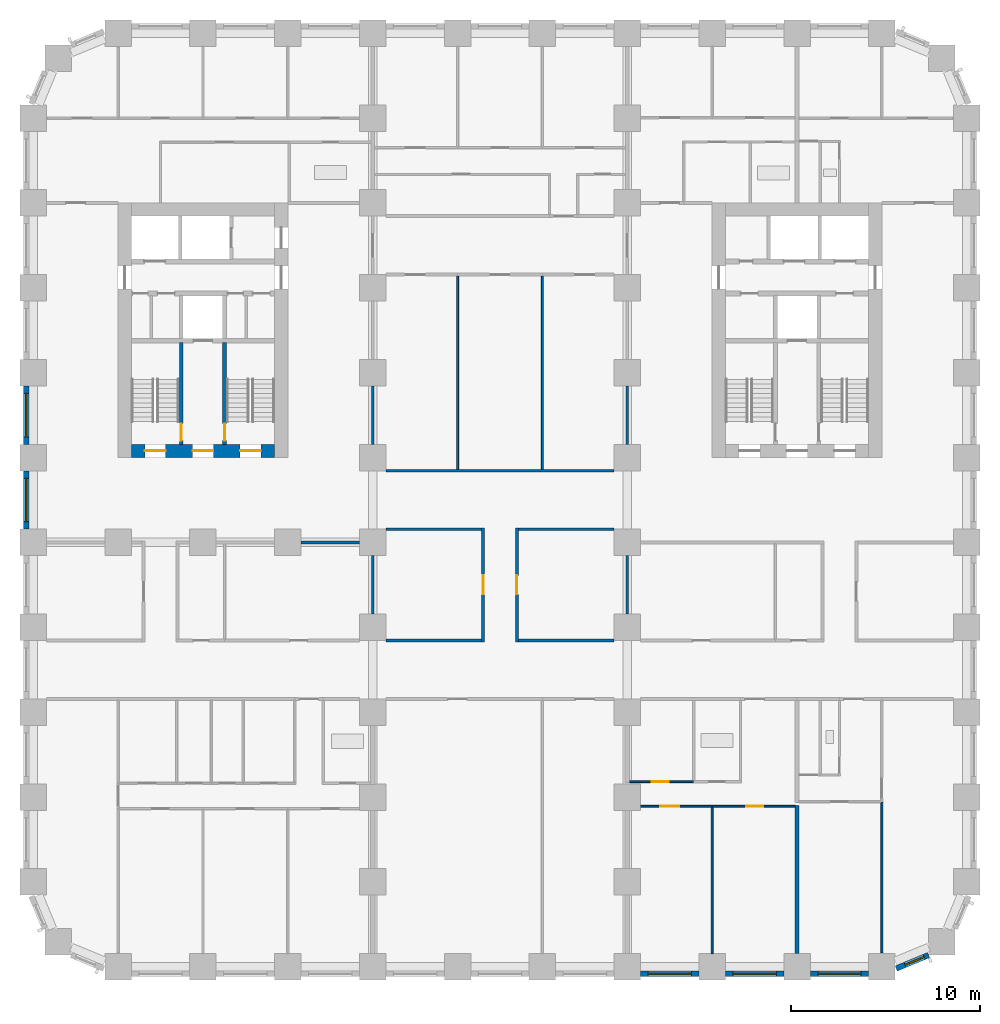
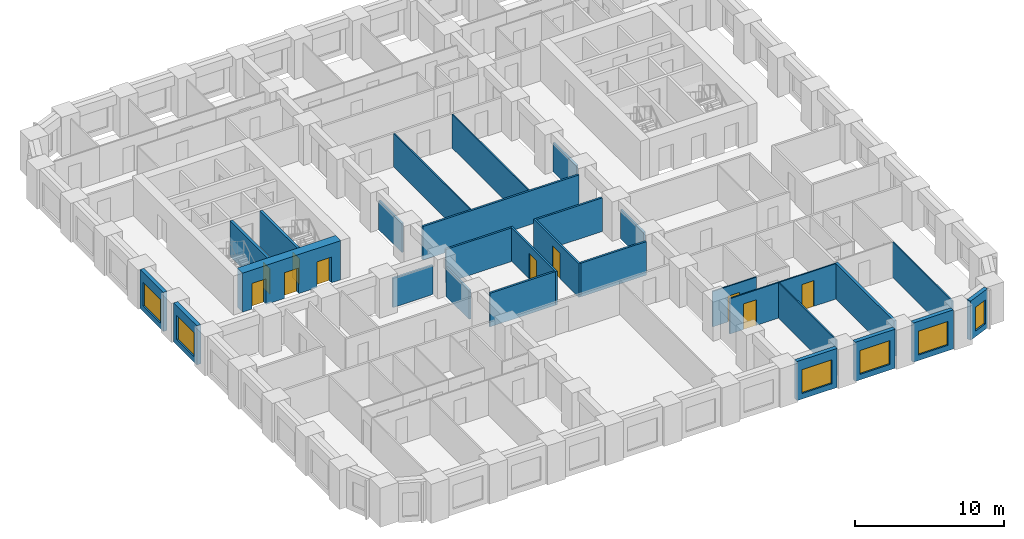
# One storey, part 4 of 13: 29 walls, 10 doors, 6 windows, 16 openings.
"""IFC4 building model written with IfcOpenShell, lengths in metres."""

from ifc_helpers import new_model, si_unit, direction, frame, frame_2d, origin, place, context, subcontext, project, spatial, rectangle, extrude, material, layer, layer_set, type_object, element, fill, save


model = new_model("IFC4")

# Units and contexts
model_context = context("Model", 3, precision=1e-05, world=origin(), true_north=direction((0.0, 1.0)))
body_context = subcontext(model_context, "Body", "Model", "MODEL_VIEW")
ifc_project = project(units=[si_unit("LENGTHUNIT", "METRE"), si_unit("AREAUNIT", "SQUARE_METRE"), si_unit("VOLUMEUNIT", "CUBIC_METRE"), si_unit("PLANEANGLEUNIT", "RADIAN"), si_unit("MASSUNIT", "GRAM", prefix="KILO")], contexts=[model_context])

# Site, building, storey
site_placement = place(None, origin())
site = spatial("IfcSite", under=ifc_project, at=site_placement, CompositionType="ELEMENT")
building_placement = place(site_placement, origin())
building = spatial("IfcBuilding", under=site, at=building_placement, Name="Girih Gate Residences", CompositionType="ELEMENT")
storey_placement = place(building_placement, frame((0.0, 0.0, 46.39990234375)))
storey = spatial("IfcBuildingStorey", under=building, at=storey_placement, Name="L11", CompositionType="ELEMENT", Elevation=46.39990234375)

# Wall, opening, door
ifc_material_1 = material(Name="Gypsum board on steel studs", Category="steel")
ifc_layer_1 = layer(ifc_material_1, 0.14990234375)
ifc_layer_set_1 = layer_set([ifc_layer_1], Name="Compartment wall 150 mm")
wall_type_1 = type_object("IfcWallType", Name="Compartment wall 150 mm", PredefinedType="PARTITIONING", material=ifc_layer_set_1)
wall_1_placement = place(storey_placement, frame((23.85009765625, 17.22509765625, 0.0), z_axis=(0.0, 0.0, 1.0), x_axis=(0.0, 1.0, 0.0)))
wall_1 = element("IfcWall", 1, at=wall_1_placement, inside=storey, type_object=wall_type_1, Name="L11 partition", PredefinedType="PARTITIONING", context=body_context, shape_type="SweptSolid", body=[
    extrude(rectangle(XDim=6.0498046875, YDim=0.14990234375, at=frame_2d((3.02490234375, 0.0))), origin(), (0.0, 0.0, 1.0), 2.75),
])
opening_1_placement = place(wall_1_placement, frame((2.52490234375, 0.0, 0.0)))
opening_1 = element("IfcOpeningElement", 2, at=opening_1_placement, cuts=wall_1, Name="Opening A11-051", PredefinedType="OPENING", context=body_context, shape_type="SweptSolid", body=[
    extrude(rectangle(XDim=1.0, YDim=2.10009765625, at=frame_2d((0.5, 1.050048828125))), frame((0.0, 0.0849609375, 0.0), z_axis=(0.0, -1.0, 0.0), x_axis=(1.0, 0.0, 0.0)), (0.0, 0.0, 1.0), 0.169921875),
])
ifc_material_2 = material(Name="Timber, fire-rated core", Category="wood")
door_type_1 = type_object("IfcDoorType", Name="Amenity room door 1000x2100 FD30S", OperationType="NOTDEFINED", PredefinedType="DOOR", material=ifc_material_2)
door_1_placement = place(opening_1_placement, origin())
door_1 = element("IfcDoor", 3, at=door_1_placement, inside=storey, type_object=door_type_1, Name="Door A11-051", OperationType="SINGLE_SWING_RIGHT", OverallHeight=2.10009765625, OverallWidth=1.0, PredefinedType="DOOR", context=body_context, shape_type="SweptSolid", body=[
    extrude(rectangle(XDim=1.0, YDim=2.10009765625, at=frame_2d((0.5, 1.050048828125))), frame((0.0, 0.02490234375, 0.0), z_axis=(0.0, -1.0, 0.0), x_axis=(1.0, 0.0, 0.0)), (0.0, 0.0, 1.0), 0.050048828125),
])
fill(opening_1, door_1)

wall_2_placement = place(storey_placement, frame((25.64990234375, 23.27490234375, 0.0), z_axis=(0.0, 0.0, 1.0), x_axis=(0.0, -1.0, 0.0)))
wall_2 = element("IfcWall", 4, at=wall_2_placement, inside=storey, type_object=wall_type_1, Name="L11 partition", PredefinedType="PARTITIONING", context=body_context, shape_type="SweptSolid", body=[
    extrude(rectangle(XDim=6.0498046875, YDim=0.14990234375, at=frame_2d((3.02490234375, 0.0))), origin(), (0.0, 0.0, 1.0), 2.75),
])
opening_2_placement = place(wall_2_placement, frame((2.52490234375, 0.0, 0.0)))
opening_2 = element("IfcOpeningElement", 5, at=opening_2_placement, cuts=wall_2, Name="Opening A11-052", PredefinedType="OPENING", context=body_context, shape_type="SweptSolid", body=[
    extrude(rectangle(XDim=1.0, YDim=2.10009765625, at=frame_2d((0.5, 1.050048828125))), frame((0.0, 0.0849609375, 0.0), z_axis=(0.0, -1.0, 0.0), x_axis=(1.0, 0.0, 0.0)), (0.0, 0.0, 1.0), 0.169921875),
])
door_2_placement = place(opening_2_placement, origin())
door_2 = element("IfcDoor", 6, at=door_2_placement, inside=storey, type_object=door_type_1, Name="Door A11-052", OperationType="SINGLE_SWING_RIGHT", OverallHeight=2.10009765625, OverallWidth=1.0, PredefinedType="DOOR", context=body_context, shape_type="SweptSolid", body=[
    extrude(rectangle(XDim=1.0, YDim=2.10009765625, at=frame_2d((0.5, 1.050048828125))), frame((0.0, 0.02490234375, 0.0), z_axis=(0.0, -1.0, 0.0), x_axis=(1.0, 0.0, 0.0)), (0.0, 0.0, 1.0), 0.050048828125),
])
fill(opening_2, door_2)

# Walls
for number, where, z_axis, x_axis, name in (
    (7, (18.699951171875, 17.300048828125, 0.0), (0.0, 0.0, 1.0), (1.0, 0.0, 0.0), "L11 partition"),
    (8, (25.72509765625, 17.300048828125, 0.0), (0.0, 0.0, 1.0), (1.0, 0.0, 0.0), "L11 partition"),
):
    element("IfcWall", number, at=place(storey_placement, frame(where, z_axis=z_axis, x_axis=x_axis)), inside=storey, type_object=wall_type_1, Name=name, PredefinedType="PARTITIONING", context=body_context, shape_type="SweptSolid", body=[
        extrude(rectangle(XDim=5.074951171875, YDim=0.14990234375, at=frame_2d((2.53759765625, 0.0))), origin(), (0.0, 0.0, 1.0), 2.75),
    ])
wall_3_placement = place(storey_placement, frame((18.0, 27.699951171875, 0.0), z_axis=(0.0, 0.0, 1.0), x_axis=(0.0, 1.0, 0.0)))
element("IfcWall", 9, at=wall_3_placement, inside=storey, type_object=wall_type_1, Name="L11 partition", PredefinedType="PARTITIONING", context=body_context, shape_type="SweptSolid", body=[
    extrude(rectangle(XDim=3.10009765625, YDim=0.14990234375, at=frame_2d((1.550048828125, 0.0))), origin(), (0.0, 0.0, 1.0), 2.380126953125),
])
wall_4_placement = place(storey_placement, frame((18.699951171875, 26.300048828125, 0.0), z_axis=(0.0, 0.0, 1.0), x_axis=(1.0, 0.0, 0.0)))
element("IfcWall", 10, at=wall_4_placement, inside=storey, type_object=wall_type_1, Name="L11 partition", PredefinedType="PARTITIONING", context=body_context, shape_type="SweptSolid", body=[
    extrude(rectangle(XDim=12.10009765625, YDim=0.14990234375, at=frame_2d((6.050048828125, 0.0))), origin(), (0.0, 0.0, 1.0), 2.75),
])
wall_5_placement = place(storey_placement, frame((31.5, 27.699951171875, 0.0), z_axis=(0.0, 0.0, 1.0), x_axis=(0.0, 1.0, 0.0)))
element("IfcWall", 11, at=wall_5_placement, inside=storey, type_object=wall_type_1, Name="L11 partition", PredefinedType="PARTITIONING", context=body_context, shape_type="SweptSolid", body=[
    extrude(rectangle(XDim=3.10009765625, YDim=0.14990234375, at=frame_2d((1.550048828125, 0.0))), origin(), (0.0, 0.0, 1.0), 2.380126953125),
])
wall_6_placement = place(storey_placement, frame((18.699951171875, 23.199951171875, 0.0), z_axis=(0.0, 0.0, 1.0), x_axis=(1.0, 0.0, 0.0)))
element("IfcWall", 12, at=wall_6_placement, inside=storey, type_object=wall_type_1, Name="L11 partition", PredefinedType="PARTITIONING", context=body_context, shape_type="SweptSolid", body=[
    extrude(rectangle(XDim=5.074951171875, YDim=0.14990234375, at=frame_2d((2.53759765625, 0.0))), origin(), (0.0, 0.0, 1.0), 2.75),
])
wall_7_placement = place(storey_placement, frame((18.0, 18.699951171875, 0.0), z_axis=(0.0, 0.0, 1.0), x_axis=(0.0, 1.0, 0.0)))
element("IfcWall", 13, at=wall_7_placement, inside=storey, type_object=wall_type_1, Name="L11 partition", PredefinedType="PARTITIONING", context=body_context, shape_type="SweptSolid", body=[
    extrude(rectangle(XDim=3.10009765625, YDim=0.14990234375, at=frame_2d((1.550048828125, 0.0))), origin(), (0.0, 0.0, 1.0), 2.380126953125),
])
wall_8_placement = place(storey_placement, frame((25.72509765625, 23.199951171875, 0.0), z_axis=(0.0, 0.0, 1.0), x_axis=(1.0, 0.0, 0.0)))
element("IfcWall", 14, at=wall_8_placement, inside=storey, type_object=wall_type_1, Name="L11 partition", PredefinedType="PARTITIONING", context=body_context, shape_type="SweptSolid", body=[
    extrude(rectangle(XDim=5.074951171875, YDim=0.14990234375, at=frame_2d((2.53759765625, 0.0))), origin(), (0.0, 0.0, 1.0), 2.75),
])
for number, where, z_axis, x_axis, name in (
    (15, (31.5, 18.699951171875, 0.0), (0.0, 0.0, 1.0), (0.0, 1.0, 0.0), "L11 partition"),
    (16, (14.199951171875, 22.5, 0.0), (0.0, 0.0, 1.0), (1.0, 0.0, 0.0), "L11 partition"),
):
    element("IfcWall", number, at=place(storey_placement, frame(where, z_axis=z_axis, x_axis=x_axis)), inside=storey, type_object=wall_type_1, Name=name, PredefinedType="PARTITIONING", context=body_context, shape_type="SweptSolid", body=[
        extrude(rectangle(XDim=3.10009765625, YDim=0.14990234375, at=frame_2d((1.550048828125, 0.0))), origin(), (0.0, 0.0, 1.0), 2.380126953125),
    ])

# Wall, openings, doors
ifc_material_3 = material(Name="Concrete C60/75", Category="concrete")
ifc_layer_2 = layer(ifc_material_3, 0.699951171875)
ifc_layer_set_2 = layer_set([ifc_layer_2], Name="Core wall RC 700 Concrete C60/75")
wall_type_2 = type_object("IfcWallType", Name="Core wall RC 700 Concrete C60/75", PredefinedType="SOLIDWALL", material=ifc_layer_set_2)
wall_9_placement = place(storey_placement, frame((5.199951171875, 27.35009765625, 0.0), z_axis=(0.0, 0.0, 1.0), x_axis=(1.0, 0.0, 0.0)))
wall_9 = element("IfcWall", 17, at=wall_9_placement, inside=storey, type_object=wall_type_2, Name="Core wall W-S L11", PredefinedType="SOLIDWALL", context=body_context, shape_type="SweptSolid", body=[
    extrude(rectangle(XDim=7.60009765625, YDim=0.699951171875, at=frame_2d((3.800048828125, 0.0))), origin(), (0.0, 0.0, 1.0), 3.2001953125),
])
opening_3_placement = place(wall_9_placement, frame((0.72509765625, 0.0, 0.0)))
opening_3 = element("IfcOpeningElement", 18, at=opening_3_placement, cuts=wall_9, Name="Opening D-L11-W-010", PredefinedType="OPENING", context=body_context, shape_type="SweptSolid", body=[
    extrude(rectangle(XDim=1.10009765625, YDim=2.10009765625, at=frame_2d((0.550048828125, 1.050048828125))), frame((0.0, 0.35986328125, 0.0), z_axis=(0.0, -1.0, 0.0), x_axis=(1.0, 0.0, 0.0)), (0.0, 0.0, 1.0), 0.719970703125),
])
opening_4_placement = place(wall_9_placement, frame((3.25, 0.0, 0.0)))
opening_4 = element("IfcOpeningElement", 19, at=opening_4_placement, cuts=wall_9, Name="Opening D-L11-W-011", PredefinedType="OPENING", context=body_context, shape_type="SweptSolid", body=[
    extrude(rectangle(XDim=1.10009765625, YDim=2.10009765625, at=frame_2d((0.550048828125, 1.050048828125))), frame((0.0, 0.35986328125, 0.0), z_axis=(0.0, -1.0, 0.0), x_axis=(1.0, 0.0, 0.0)), (0.0, 0.0, 1.0), 0.719970703125),
])
opening_5_placement = place(wall_9_placement, frame((5.77490234375, 0.0, 0.0)))
opening_5 = element("IfcOpeningElement", 20, at=opening_5_placement, cuts=wall_9, Name="Opening D-L11-W-012", PredefinedType="OPENING", context=body_context, shape_type="SweptSolid", body=[
    extrude(rectangle(XDim=1.10009765625, YDim=2.10009765625, at=frame_2d((0.550048828125, 1.050048828125))), frame((0.0, 0.35986328125, 0.0), z_axis=(0.0, -1.0, 0.0), x_axis=(1.0, 0.0, 0.0)), (0.0, 0.0, 1.0), 0.719970703125),
])
ifc_material_4 = material(Name="Painted steel, fire-resisting", Category="steel")
door_type_2 = type_object("IfcDoorType", Name="Fire door 1100x2100", OperationType="SINGLE_SWING_LEFT", PredefinedType="DOOR", material=ifc_material_4)
door_3_placement = place(opening_3_placement, origin())
door_3 = element("IfcDoor", 21, at=door_3_placement, inside=storey, type_object=door_type_2, Name="L11 W core door sta-out", OperationType="SINGLE_SWING_LEFT", OverallHeight=2.10009765625, OverallWidth=1.10009765625, PredefinedType="DOOR", context=body_context, shape_type="SweptSolid", body=[
    extrude(rectangle(XDim=1.10009765625, YDim=2.10009765625, at=frame_2d((0.550048828125, 1.050048828125))), frame((0.0, 0.02490234375, 0.0), z_axis=(0.0, -1.0, 0.0), x_axis=(1.0, 0.0, 0.0)), (0.0, 0.0, 1.0), 0.050048828125),
])
fill(opening_3, door_3)
door_4_placement = place(opening_4_placement, origin())
door_4 = element("IfcDoor", 22, at=door_4_placement, inside=storey, type_object=door_type_2, Name="L11 W core door ffl-out", OperationType="SINGLE_SWING_LEFT", OverallHeight=2.10009765625, OverallWidth=1.10009765625, PredefinedType="DOOR", context=body_context, shape_type="SweptSolid", body=[
    extrude(rectangle(XDim=1.10009765625, YDim=2.10009765625, at=frame_2d((0.550048828125, 1.050048828125))), frame((0.0, 0.02490234375, 0.0), z_axis=(0.0, -1.0, 0.0), x_axis=(1.0, 0.0, 0.0)), (0.0, 0.0, 1.0), 0.050048828125),
])
fill(opening_4, door_4)
door_5_placement = place(opening_5_placement, origin())
door_5 = element("IfcDoor", 23, at=door_5_placement, inside=storey, type_object=door_type_2, Name="L11 W core door stb-out", OperationType="SINGLE_SWING_LEFT", OverallHeight=2.10009765625, OverallWidth=1.10009765625, PredefinedType="DOOR", context=body_context, shape_type="SweptSolid", body=[
    extrude(rectangle(XDim=1.10009765625, YDim=2.10009765625, at=frame_2d((0.550048828125, 1.050048828125))), frame((0.0, 0.02490234375, 0.0), z_axis=(0.0, -1.0, 0.0), x_axis=(1.0, 0.0, 0.0)), (0.0, 0.0, 1.0), 0.050048828125),
])
fill(opening_5, door_5)

# Wall
ifc_layer_3 = layer(ifc_material_1, 0.10009765625)
ifc_layer_set_3 = layer_set([ifc_layer_3], Name="Partition 100 mm")
wall_type_3 = type_object("IfcWallType", Name="Partition 100 mm", PredefinedType="PARTITIONING", material=ifc_layer_set_3)
wall_10_placement = place(storey_placement, frame((45.0, 0.757568359375, 0.0), z_axis=(0.0, 0.0, 1.0), x_axis=(0.0, 1.0, 0.0)))
element("IfcWall", 24, at=wall_10_placement, inside=storey, type_object=wall_type_3, Name="L11 partition", PredefinedType="PARTITIONING", context=body_context, shape_type="SweptSolid", body=[
    extrude(rectangle(XDim=7.992431640625, YDim=0.10009765625, at=frame_2d((3.99609375, 0.0))), origin(), (0.0, 0.0, 1.0), 2.900146484375),
])

# Wall, opening, door
wall_11_placement = place(storey_placement, frame((40.39990234375, 8.510009765625, 0.0), z_axis=(0.0, 0.0, 1.0), x_axis=(-1.0, 0.0, 0.0)))
wall_11 = element("IfcWall", 25, at=wall_11_placement, inside=storey, type_object=wall_type_3, Name="L11 partition", PredefinedType="PARTITIONING", context=body_context, shape_type="SweptSolid", body=[
    extrude(rectangle(XDim=4.39990234375, YDim=0.10009765625, at=frame_2d((2.199951171875, 0.0))), origin(), (0.0, 0.0, 1.0), 2.900146484375),
])
opening_6_placement = place(wall_11_placement, frame((1.699951171875, 0.0, 0.0)))
opening_6 = element("IfcOpeningElement", 26, at=opening_6_placement, cuts=wall_11, Name="Opening A11-024", PredefinedType="OPENING", context=body_context, shape_type="SweptSolid", body=[
    extrude(rectangle(XDim=0.89990234375, YDim=2.10009765625, at=frame_2d((0.449951171875, 1.050048828125))), frame((0.0, 0.06005859375, 0.0), z_axis=(0.0, -1.0, 0.0), x_axis=(1.0, 0.0, 0.0)), (0.0, 0.0, 1.0), 0.1201171875),
])
ifc_material_5 = material(Name="Timber", Category="wood")
door_type_3 = type_object("IfcDoorType", Name="Bedroom door 900x2100", OperationType="NOTDEFINED", PredefinedType="DOOR", material=ifc_material_5)
door_6_placement = place(opening_6_placement, origin())
door_6 = element("IfcDoor", 27, at=door_6_placement, inside=storey, type_object=door_type_3, Name="Door A11-024", OperationType="SINGLE_SWING_LEFT", OverallHeight=2.10009765625, OverallWidth=0.89990234375, PredefinedType="DOOR", context=body_context, shape_type="SweptSolid", body=[
    extrude(rectangle(XDim=0.89990234375, YDim=2.10009765625, at=frame_2d((0.449951171875, 1.050048828125))), frame((0.0, 0.02490234375, 0.0), z_axis=(0.0, -1.0, 0.0), x_axis=(1.0, 0.0, 0.0)), (0.0, 0.0, 1.0), 0.050048828125),
])
fill(opening_6, door_6)

# Wall
wall_12_placement = place(storey_placement, frame((36.0, 0.699951171875, 0.0), z_axis=(0.0, 0.0, 1.0), x_axis=(0.0, 1.0, 0.0)))
element("IfcWall", 28, at=wall_12_placement, inside=storey, type_object=wall_type_3, Name="L11 partition", PredefinedType="PARTITIONING", context=body_context, shape_type="SweptSolid", body=[
    extrude(rectangle(XDim=7.760009765625, YDim=0.10009765625, at=frame_2d((3.8798828125, 0.0))), origin(), (0.0, 0.0, 1.0), 2.900146484375),
])

# Wall, opening, door
wall_13_placement = place(storey_placement, frame((31.625, 9.81005859375, 0.0), z_axis=(0.0, 0.0, 1.0), x_axis=(1.0, 0.0, 0.0)))
wall_13 = element("IfcWall", 29, at=wall_13_placement, inside=storey, type_object=wall_type_3, Name="L11 partition", PredefinedType="PARTITIONING", context=body_context, shape_type="SweptSolid", body=[
    extrude(rectangle(XDim=3.390380859375, YDim=0.10009765625, at=frame_2d((1.6953125, 0.0))), origin(), (0.0, 0.0, 1.0), 2.900146484375),
])
opening_7_placement = place(wall_13_placement, frame((1.1826171875, 0.0, 0.0)))
opening_7 = element("IfcOpeningElement", 30, at=opening_7_placement, cuts=wall_13, Name="Opening A11-025", PredefinedType="OPENING", context=body_context, shape_type="SweptSolid", body=[
    extrude(rectangle(XDim=0.89990234375, YDim=2.10009765625, at=frame_2d((0.449951171875, 1.050048828125))), frame((0.0, 0.06005859375, 0.0), z_axis=(0.0, -1.0, 0.0), x_axis=(1.0, 0.0, 0.0)), (0.0, 0.0, 1.0), 0.1201171875),
])
door_type_4 = type_object("IfcDoorType", Name="Kitchen door 900x2100", OperationType="NOTDEFINED", PredefinedType="DOOR", material=ifc_material_5)
door_7_placement = place(opening_7_placement, origin())
door_7 = element("IfcDoor", 31, at=door_7_placement, inside=storey, type_object=door_type_4, Name="Door A11-025", OperationType="SINGLE_SWING_LEFT", OverallHeight=2.10009765625, OverallWidth=0.89990234375, PredefinedType="DOOR", context=body_context, shape_type="SweptSolid", body=[
    extrude(rectangle(XDim=0.89990234375, YDim=2.10009765625, at=frame_2d((0.449951171875, 1.050048828125))), frame((0.0, 0.02490234375, 0.0), z_axis=(0.0, -1.0, 0.0), x_axis=(1.0, 0.0, 0.0)), (0.0, 0.0, 1.0), 0.050048828125),
])
fill(opening_7, door_7)

wall_14_placement = place(storey_placement, frame((36.0, 8.510009765625, 0.0), z_axis=(0.0, 0.0, 1.0), x_axis=(-1.0, 0.0, 0.0)))
wall_14 = element("IfcWall", 32, at=wall_14_placement, inside=storey, type_object=wall_type_3, Name="L11 partition", PredefinedType="PARTITIONING", context=body_context, shape_type="SweptSolid", body=[
    extrude(rectangle(XDim=3.800048828125, YDim=0.10009765625, at=frame_2d((1.89990234375, 0.0))), origin(), (0.0, 0.0, 1.0), 2.900146484375),
])
opening_8_placement = place(wall_14_placement, frame((1.75, 0.0, 0.0)))
opening_8 = element("IfcOpeningElement", 33, at=opening_8_placement, cuts=wall_14, Name="Opening A11-026", PredefinedType="OPENING", context=body_context, shape_type="SweptSolid", body=[
    extrude(rectangle(XDim=1.0, YDim=2.10009765625, at=frame_2d((0.5, 1.050048828125))), frame((0.0, 0.06005859375, 0.0), z_axis=(0.0, -1.0, 0.0), x_axis=(1.0, 0.0, 0.0)), (0.0, 0.0, 1.0), 0.1201171875),
])
door_type_5 = type_object("IfcDoorType", Name="Living room door 1000x2100", OperationType="NOTDEFINED", PredefinedType="DOOR", material=ifc_material_5)
door_8_placement = place(opening_8_placement, origin())
door_8 = element("IfcDoor", 34, at=door_8_placement, inside=storey, type_object=door_type_5, Name="Door A11-026", OperationType="SINGLE_SWING_RIGHT", OverallHeight=2.10009765625, OverallWidth=1.0, PredefinedType="DOOR", context=body_context, shape_type="SweptSolid", body=[
    extrude(rectangle(XDim=1.0, YDim=2.10009765625, at=frame_2d((0.5, 1.050048828125))), frame((0.0, 0.02490234375, 0.0), z_axis=(0.0, -1.0, 0.0), x_axis=(1.0, 0.0, 0.0)), (0.0, 0.0, 1.0), 0.050048828125),
])
fill(opening_8, door_8)

# Walls
for number, where, z_axis, x_axis, name in (
    (35, (22.5, 26.375, 0.0), (0.0, 0.0, 1.0), (0.0, 1.0, 0.0), "L11 partition"),
    (36, (27.0, 26.375, 0.0), (0.0, 0.0, 1.0), (0.0, 1.0, 0.0), "L11 partition"),
):
    element("IfcWall", number, at=place(storey_placement, frame(where, z_axis=z_axis, x_axis=x_axis)), inside=storey, type_object=wall_type_3, Name=name, PredefinedType="PARTITIONING", context=body_context, shape_type="SweptSolid", body=[
        extrude(rectangle(XDim=10.25, YDim=0.10009765625, at=frame_2d((5.125, 0.0))), origin(), (0.0, 0.0, 1.0), 2.75),
    ])
ifc_layer_4 = layer(ifc_material_1, 0.199951171875)
ifc_layer_set_4 = layer_set([ifc_layer_4], Name="Party wall 200 mm")
wall_type_4 = type_object("IfcWallType", Name="Party wall 200 mm", PredefinedType="PARTITIONING", material=ifc_layer_set_4)
wall_15_placement = place(storey_placement, frame((40.5, 0.699951171875, 0.0), z_axis=(0.0, 0.0, 1.0), x_axis=(0.0, 1.0, 0.0)))
element("IfcWall", 37, at=wall_15_placement, inside=storey, type_object=wall_type_4, Name="L11 partition", PredefinedType="PARTITIONING", context=body_context, shape_type="SweptSolid", body=[
    extrude(rectangle(XDim=7.860107421875, YDim=0.199951171875, at=frame_2d((3.93017578125, 0.0))), origin(), (0.0, 0.0, 1.0), 2.900146484375),
])

# Wall, opening, window
ifc_material_6 = material(Name="Precast concrete C50/60", Category="concrete")
ifc_layer_5 = layer(ifc_material_6, 0.080078125, Name="Outer leaf")
ifc_material_7 = material(Name="Rigid PIR insulation")
ifc_layer_6 = layer(ifc_material_7, 0.14990234375, Name="Insulation")
ifc_material_8 = material(Name="Precast concrete C40/50", Category="concrete")
ifc_layer_7 = layer(ifc_material_8, 0.070068359375, Name="Inner leaf")
ifc_layer_set_5 = layer_set([ifc_layer_5, ifc_layer_6, ifc_layer_7], Name="Precast concrete C50/60 external wall 300")
wall_type_5 = type_object("IfcWallType", Name="Precast concrete C50/60 external wall 300", PredefinedType="SOLIDWALL", material=ifc_layer_set_5)
wall_16_placement = place(storey_placement, frame((35.300048828125, -0.375, 0.0), z_axis=(0.0, 0.0, 1.0), x_axis=(-1.0, 0.0, 0.0)))
wall_16 = element("IfcWall", 38, at=wall_16_placement, inside=storey, type_object=wall_type_5, Name="External wall S0045_0000.6", PredefinedType="SOLIDWALL", context=body_context, shape_type="SweptSolid", body=[
    extrude(rectangle(XDim=3.10009765625, YDim=0.300048828125, at=frame_2d((1.550048828125, 0.0))), origin(), (0.0, 0.0, 1.0), 3.2001953125),
])
opening_9_placement = place(wall_16_placement, frame((0.39990234375, 0.0, 0.449951171875)))
opening_9 = element("IfcOpeningElement", 39, at=opening_9_placement, cuts=wall_16, Name="Opening W-1", PredefinedType="OPENING", context=body_context, shape_type="SweptSolid", body=[
    extrude(rectangle(XDim=2.300048828125, YDim=1.949951171875, at=frame_2d((1.14990234375, 0.97509765625))), frame((0.0, 0.159912109375, 0.0), z_axis=(0.0, -1.0, 0.0), x_axis=(1.0, 0.0, 0.0)), (0.0, 0.0, 1.0), 0.320068359375),
])
ifc_material_9 = material(Name="Double glazing in aluminium frame", Category="aluminium")
window_type_1 = type_object("IfcWindowType", Name="Window W-1 2300x1950", PartitioningType="SINGLE_PANEL", PredefinedType="WINDOW", material=ifc_material_9)
window_1_placement = place(opening_9_placement, origin())
window_1 = element("IfcWindow", 40, at=window_1_placement, inside=storey, type_object=window_type_1, Name="Window W-1 S0045_0000.6", OverallHeight=1.949951171875, OverallWidth=2.300048828125, PartitioningType="SINGLE_PANEL", PredefinedType="WINDOW", context=body_context, shape_type="SweptSolid", body=[
    extrude(rectangle(XDim=2.300048828125, YDim=1.949951171875, at=frame_2d((1.14990234375, 0.97509765625))), frame((0.0, 0.030029296875, 0.0), z_axis=(0.0, -1.0, 0.0), x_axis=(1.0, 0.0, 0.0)), (0.0, 0.0, 1.0), 0.06005859375),
])
fill(opening_9, window_1)

wall_17_placement = place(storey_placement, frame((39.800048828125, -0.375, 0.0), z_axis=(0.0, 0.0, 1.0), x_axis=(-1.0, 0.0, 0.0)))
wall_17 = element("IfcWall", 41, at=wall_17_placement, inside=storey, type_object=wall_type_5, Name="External wall S0045_0000.7", PredefinedType="SOLIDWALL", context=body_context, shape_type="SweptSolid", body=[
    extrude(rectangle(XDim=3.10009765625, YDim=0.300048828125, at=frame_2d((1.550048828125, 0.0))), origin(), (0.0, 0.0, 1.0), 3.2001953125),
])
opening_10_placement = place(wall_17_placement, frame((0.39990234375, 0.0, 0.449951171875)))
opening_10 = element("IfcOpeningElement", 42, at=opening_10_placement, cuts=wall_17, Name="Opening W-1", PredefinedType="OPENING", context=body_context, shape_type="SweptSolid", body=[
    extrude(rectangle(XDim=2.300048828125, YDim=1.949951171875, at=frame_2d((1.14990234375, 0.97509765625))), frame((0.0, 0.159912109375, 0.0), z_axis=(0.0, -1.0, 0.0), x_axis=(1.0, 0.0, 0.0)), (0.0, 0.0, 1.0), 0.320068359375),
])
window_2_placement = place(opening_10_placement, origin())
window_2 = element("IfcWindow", 43, at=window_2_placement, inside=storey, type_object=window_type_1, Name="Window W-1 S0045_0000.7", OverallHeight=1.949951171875, OverallWidth=2.300048828125, PartitioningType="SINGLE_PANEL", PredefinedType="WINDOW", context=body_context, shape_type="SweptSolid", body=[
    extrude(rectangle(XDim=2.300048828125, YDim=1.949951171875, at=frame_2d((1.14990234375, 0.97509765625))), frame((0.0, 0.030029296875, 0.0), z_axis=(0.0, -1.0, 0.0), x_axis=(1.0, 0.0, 0.0)), (0.0, 0.0, 1.0), 0.06005859375),
])
fill(opening_10, window_2)

wall_18_placement = place(storey_placement, frame((44.300048828125, -0.375, 0.0), z_axis=(0.0, 0.0, 1.0), x_axis=(-1.0, 0.0, 0.0)))
wall_18 = element("IfcWall", 44, at=wall_18_placement, inside=storey, type_object=wall_type_5, Name="External wall S0045_0000.8", PredefinedType="SOLIDWALL", context=body_context, shape_type="SweptSolid", body=[
    extrude(rectangle(XDim=3.10009765625, YDim=0.300048828125, at=frame_2d((1.550048828125, 0.0))), origin(), (0.0, 0.0, 1.0), 3.2001953125),
])
opening_11_placement = place(wall_18_placement, frame((0.39990234375, 0.0, 0.449951171875)))
opening_11 = element("IfcOpeningElement", 45, at=opening_11_placement, cuts=wall_18, Name="Opening W-1", PredefinedType="OPENING", context=body_context, shape_type="SweptSolid", body=[
    extrude(rectangle(XDim=2.300048828125, YDim=1.949951171875, at=frame_2d((1.14990234375, 0.97509765625))), frame((0.0, 0.159912109375, 0.0), z_axis=(0.0, -1.0, 0.0), x_axis=(1.0, 0.0, 0.0)), (0.0, 0.0, 1.0), 0.320068359375),
])
window_3_placement = place(opening_11_placement, origin())
window_3 = element("IfcWindow", 46, at=window_3_placement, inside=storey, type_object=window_type_1, Name="Window W-1 S0045_0000.8", OverallHeight=1.949951171875, OverallWidth=2.300048828125, PartitioningType="SINGLE_PANEL", PredefinedType="WINDOW", context=body_context, shape_type="SweptSolid", body=[
    extrude(rectangle(XDim=2.300048828125, YDim=1.949951171875, at=frame_2d((1.14990234375, 0.97509765625))), frame((0.0, 0.030029296875, 0.0), z_axis=(0.0, -1.0, 0.0), x_axis=(1.0, 0.0, 0.0)), (0.0, 0.0, 1.0), 0.06005859375),
])
fill(opening_11, window_3)

wall_19_placement = place(storey_placement, frame((47.48046875, 0.62158203125, 0.0), z_axis=(0.0, 0.0, 1.0), x_axis=(-0.923903565336, -0.38262540684, 0.0)))
wall_19 = element("IfcWall", 47, at=wall_19_placement, inside=storey, type_object=wall_type_5, Name="External wall SE0450_0000.0", PredefinedType="SOLIDWALL", context=body_context, shape_type="SweptSolid", body=[
    extrude(rectangle(XDim=1.864990234375, YDim=0.300048828125, at=frame_2d((0.9326171875, 0.0))), origin(), (0.0, 0.0, 1.0), 3.2001953125),
])
opening_12_placement = place(wall_19_placement, frame((0.257568359375, 0.0, 0.449951171875)))
opening_12 = element("IfcOpeningElement", 48, at=opening_12_placement, cuts=wall_19, Name="Opening W-2C", PredefinedType="OPENING", context=body_context, shape_type="SweptSolid", body=[
    extrude(rectangle(XDim=1.10009765625, YDim=1.949951171875, at=frame_2d((0.550048828125, 0.97509765625))), frame((0.0, 0.159912109375, 0.0), z_axis=(0.0, -1.0, 0.0), x_axis=(1.0, 0.0, 0.0)), (0.0, 0.0, 1.0), 0.320068359375),
])
window_type_2 = type_object("IfcWindowType", Name="Window W-2C 1100x1950", PartitioningType="SINGLE_PANEL", PredefinedType="WINDOW", material=ifc_material_9)
window_4_placement = place(opening_12_placement, origin())
window_4 = element("IfcWindow", 49, at=window_4_placement, inside=storey, type_object=window_type_2, Name="Window W-2C SE0450_0000.0", OverallHeight=1.949951171875, OverallWidth=1.10009765625, PartitioningType="SINGLE_PANEL", PredefinedType="WINDOW", context=body_context, shape_type="SweptSolid", body=[
    extrude(rectangle(XDim=1.10009765625, YDim=1.949951171875, at=frame_2d((0.550048828125, 0.97509765625))), frame((0.0, 0.030029296875, 0.0), z_axis=(0.0, -1.0, 0.0), x_axis=(1.0, 0.0, 0.0)), (0.0, 0.0, 1.0), 0.06005859375),
])
fill(opening_12, window_4)

wall_20_placement = place(storey_placement, frame((-0.375, 27.699951171875, 0.0), z_axis=(0.0, 0.0, 1.0), x_axis=(0.0, 1.0, 0.0)))
wall_20 = element("IfcWall", 50, at=wall_20_placement, inside=storey, type_object=wall_type_5, Name="External wall W0000_0450.3", PredefinedType="SOLIDWALL", context=body_context, shape_type="SweptSolid", body=[
    extrude(rectangle(XDim=3.10009765625, YDim=0.300048828125, at=frame_2d((1.550048828125, 0.0))), origin(), (0.0, 0.0, 1.0), 3.2001953125),
])
opening_13_placement = place(wall_20_placement, frame((0.39990234375, 0.0, 0.449951171875)))
opening_13 = element("IfcOpeningElement", 51, at=opening_13_placement, cuts=wall_20, Name="Opening W-1", PredefinedType="OPENING", context=body_context, shape_type="SweptSolid", body=[
    extrude(rectangle(XDim=2.300048828125, YDim=1.949951171875, at=frame_2d((1.14990234375, 0.97509765625))), frame((0.0, 0.159912109375, 0.0), z_axis=(0.0, -1.0, 0.0), x_axis=(1.0, 0.0, 0.0)), (0.0, 0.0, 1.0), 0.320068359375),
])
window_5_placement = place(opening_13_placement, origin())
window_5 = element("IfcWindow", 52, at=window_5_placement, inside=storey, type_object=window_type_1, Name="Window W-1 W0000_0450.3", OverallHeight=1.949951171875, OverallWidth=2.300048828125, PartitioningType="SINGLE_PANEL", PredefinedType="WINDOW", context=body_context, shape_type="SweptSolid", body=[
    extrude(rectangle(XDim=2.300048828125, YDim=1.949951171875, at=frame_2d((1.14990234375, 0.97509765625))), frame((0.0, 0.030029296875, 0.0), z_axis=(0.0, -1.0, 0.0), x_axis=(1.0, 0.0, 0.0)), (0.0, 0.0, 1.0), 0.06005859375),
])
fill(opening_13, window_5)

wall_21_placement = place(storey_placement, frame((-0.375, 23.199951171875, 0.0), z_axis=(0.0, 0.0, 1.0), x_axis=(0.0, 1.0, 0.0)))
wall_21 = element("IfcWall", 53, at=wall_21_placement, inside=storey, type_object=wall_type_5, Name="External wall W0000_0450.4", PredefinedType="SOLIDWALL", context=body_context, shape_type="SweptSolid", body=[
    extrude(rectangle(XDim=3.10009765625, YDim=0.300048828125, at=frame_2d((1.550048828125, 0.0))), origin(), (0.0, 0.0, 1.0), 3.2001953125),
])
opening_14_placement = place(wall_21_placement, frame((0.39990234375, 0.0, 0.449951171875)))
opening_14 = element("IfcOpeningElement", 54, at=opening_14_placement, cuts=wall_21, Name="Opening W-1", PredefinedType="OPENING", context=body_context, shape_type="SweptSolid", body=[
    extrude(rectangle(XDim=2.300048828125, YDim=1.949951171875, at=frame_2d((1.14990234375, 0.97509765625))), frame((0.0, 0.159912109375, 0.0), z_axis=(0.0, -1.0, 0.0), x_axis=(1.0, 0.0, 0.0)), (0.0, 0.0, 1.0), 0.320068359375),
])
window_6_placement = place(opening_14_placement, origin())
window_6 = element("IfcWindow", 55, at=window_6_placement, inside=storey, type_object=window_type_1, Name="Window W-1 W0000_0450.4", OverallHeight=1.949951171875, OverallWidth=2.300048828125, PartitioningType="SINGLE_PANEL", PredefinedType="WINDOW", context=body_context, shape_type="SweptSolid", body=[
    extrude(rectangle(XDim=2.300048828125, YDim=1.949951171875, at=frame_2d((1.14990234375, 0.97509765625))), frame((0.0, 0.030029296875, 0.0), z_axis=(0.0, -1.0, 0.0), x_axis=(1.0, 0.0, 0.0)), (0.0, 0.0, 1.0), 0.06005859375),
])
fill(opening_14, window_6)

# Wall, opening, door
ifc_material_10 = material(Name="Concrete C40/50", Category="concrete")
ifc_layer_8 = layer(ifc_material_10, 0.199951171875)
ifc_layer_set_6 = layer_set([ifc_layer_8], Name="Shaft wall 200")
wall_type_6 = type_object("IfcWallType", Name="Shaft wall 200", PredefinedType="SOLIDWALL", material=ifc_layer_set_6)
wall_22_placement = place(storey_placement, frame((7.85009765625, 27.699951171875, 0.0), z_axis=(0.0, 0.0, 1.0), x_axis=(0.0, 1.0, 0.0)))
wall_22 = element("IfcWall", 56, at=wall_22_placement, inside=storey, type_object=wall_type_6, Name="L11 W core wall V1a", PredefinedType="SOLIDWALL", context=body_context, shape_type="SweptSolid", body=[
    extrude(rectangle(XDim=5.400146484375, YDim=0.199951171875, at=frame_2d((2.7001953125, 0.0))), origin(), (0.0, 0.0, 1.0), 2.900146484375),
])
opening_15_placement = place(wall_22_placement, frame((0.199951171875, 0.0, 0.0)))
opening_15 = element("IfcOpeningElement", 57, at=opening_15_placement, cuts=wall_22, Name="Opening D-L11-W-001", PredefinedType="OPENING", context=body_context, shape_type="SweptSolid", body=[
    extrude(rectangle(XDim=0.89990234375, YDim=2.10009765625, at=frame_2d((0.449951171875, 1.050048828125))), frame((0.0, 0.10986328125, 0.0), z_axis=(0.0, -1.0, 0.0), x_axis=(1.0, 0.0, 0.0)), (0.0, 0.0, 1.0), 0.219970703125),
])
door_type_6 = type_object("IfcDoorType", Name="Fire door 900x2100", OperationType="SINGLE_SWING_LEFT", PredefinedType="DOOR", material=ifc_material_4)
door_9_placement = place(opening_15_placement, origin())
door_9 = element("IfcDoor", 58, at=door_9_placement, inside=storey, type_object=door_type_6, Name="L11 W door stair 1 to firefighting lobby", OperationType="SINGLE_SWING_LEFT", OverallHeight=2.10009765625, OverallWidth=0.89990234375, PredefinedType="DOOR", context=body_context, shape_type="SweptSolid", body=[
    extrude(rectangle(XDim=0.89990234375, YDim=2.10009765625, at=frame_2d((0.449951171875, 1.050048828125))), frame((0.0, 0.02490234375, 0.0), z_axis=(0.0, -1.0, 0.0), x_axis=(1.0, 0.0, 0.0)), (0.0, 0.0, 1.0), 0.050048828125),
])
fill(opening_15, door_9)

wall_23_placement = place(storey_placement, frame((10.14990234375, 27.699951171875, 0.0), z_axis=(0.0, 0.0, 1.0), x_axis=(0.0, 1.0, 0.0)))
wall_23 = element("IfcWall", 59, at=wall_23_placement, inside=storey, type_object=wall_type_6, Name="L11 W core wall V2a", PredefinedType="SOLIDWALL", context=body_context, shape_type="SweptSolid", body=[
    extrude(rectangle(XDim=5.400146484375, YDim=0.199951171875, at=frame_2d((2.7001953125, 0.0))), origin(), (0.0, 0.0, 1.0), 2.900146484375),
])
opening_16_placement = place(wall_23_placement, frame((0.199951171875, 0.0, 0.0)))
opening_16 = element("IfcOpeningElement", 60, at=opening_16_placement, cuts=wall_23, Name="Opening D-L11-W-002", PredefinedType="OPENING", context=body_context, shape_type="SweptSolid", body=[
    extrude(rectangle(XDim=0.89990234375, YDim=2.10009765625, at=frame_2d((0.449951171875, 1.050048828125))), frame((0.0, 0.10986328125, 0.0), z_axis=(0.0, -1.0, 0.0), x_axis=(1.0, 0.0, 0.0)), (0.0, 0.0, 1.0), 0.219970703125),
])
door_10_placement = place(opening_16_placement, origin())
door_10 = element("IfcDoor", 61, at=door_10_placement, inside=storey, type_object=door_type_6, Name="L11 W door stair 2 to firefighting lobby", OperationType="SINGLE_SWING_LEFT", OverallHeight=2.10009765625, OverallWidth=0.89990234375, PredefinedType="DOOR", context=body_context, shape_type="SweptSolid", body=[
    extrude(rectangle(XDim=0.89990234375, YDim=2.10009765625, at=frame_2d((0.449951171875, 1.050048828125))), frame((0.0, 0.02490234375, 0.0), z_axis=(0.0, -1.0, 0.0), x_axis=(1.0, 0.0, 0.0)), (0.0, 0.0, 1.0), 0.050048828125),
])
fill(opening_16, door_10)

save(model, "model.ifc")
